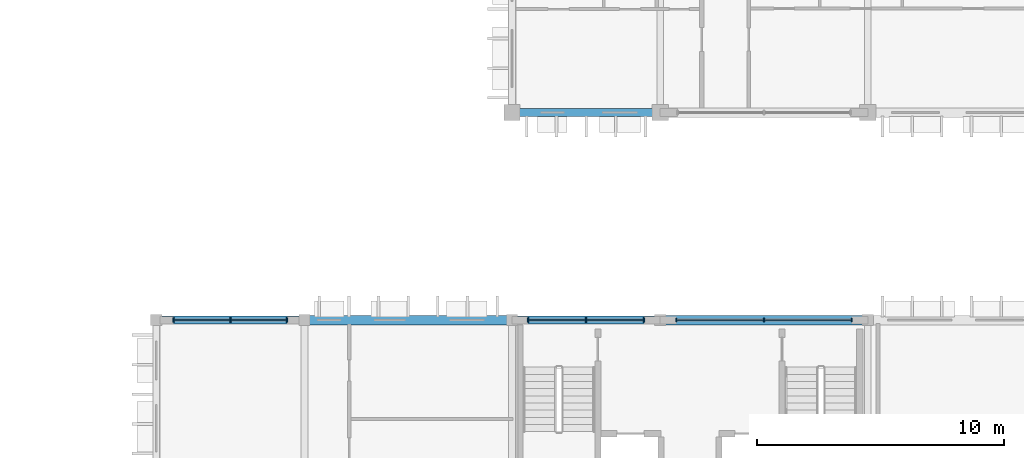
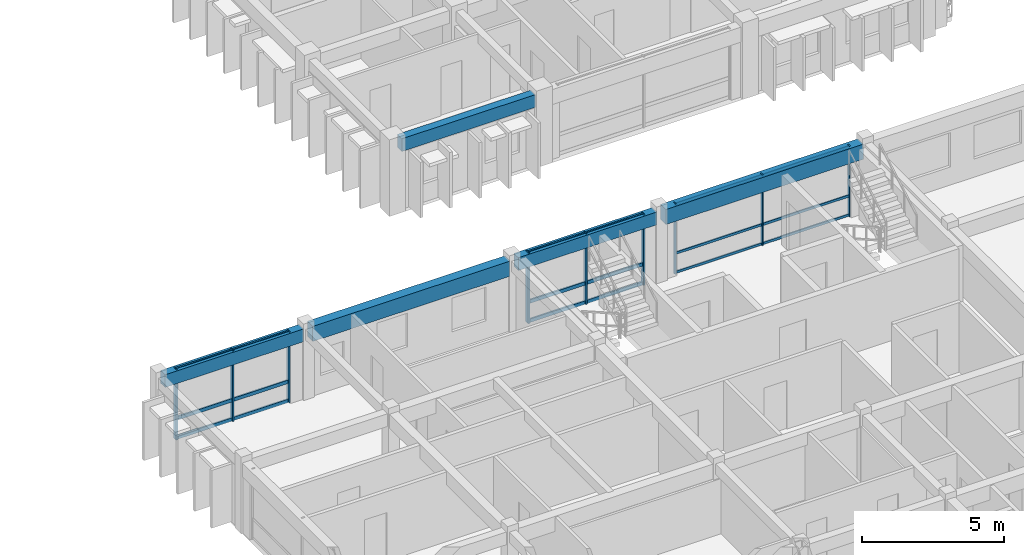
# One storey, part 15 of 76: 18 members, 5 beams, 3 elements without a shape of their own.
"""IFC4 building model written with IfcOpenShell, lengths in metres."""

from ifc_helpers import new_model, si_unit, direction, frame, origin, origin_2d, place, context, subcontext, project, spatial, rectangle, extrude, material, material_profile, profile_set, type_object, element, aggregate, save


model = new_model("IFC4")

# Units and contexts
model_context = context("Model", 3, precision=1e-05, world=origin(), true_north=direction((0.0, 1.0)))
body_context = subcontext(model_context, "Body", "Model", "MODEL_VIEW")
ifc_project = project(units=[si_unit("LENGTHUNIT", "METRE"), si_unit("AREAUNIT", "SQUARE_METRE"), si_unit("VOLUMEUNIT", "CUBIC_METRE"), si_unit("PLANEANGLEUNIT", "RADIAN"), si_unit("MASSUNIT", "GRAM", prefix="KILO"), si_unit("THERMODYNAMICTEMPERATUREUNIT", "KELVIN")], contexts=[model_context])

# Site, building, storey
site_placement = place(None, origin())
site = spatial("IfcSite", under=ifc_project, at=site_placement, CompositionType="ELEMENT")
building_placement = place(site_placement, origin())
building = spatial("IfcBuilding", under=site, at=building_placement, Name="Thalorik Housing Commons", CompositionType="ELEMENT")
storey_placement = place(building_placement, frame((0.0, 0.0, 18.0)))
storey = spatial("IfcBuildingStorey", under=building, at=storey_placement, Name="L05", CompositionType="ELEMENT", Elevation=18.0)

# Curtain wall, members
ifc_material_1 = material(Name="Anodised aluminium and solar-control low-E glass", Category="aluminium")
curtain_wall_type_1 = type_object("IfcCurtainWallType", Name="ARC-CW-CORE", PredefinedType="USERDEFINED", material=ifc_material_1)
curtain_wall_1_placement = place(storey_placement, origin())
curtain_wall_1 = element("IfcCurtainWall", 1, at=curtain_wall_1_placement, inside=storey, type_object=curtain_wall_type_1, Name="L05 Curtain Wall CW-CORE-L05-D-196", ObjectType="CURTAIN WALL", PredefinedType="USERDEFINED")
ifc_material_2 = material(Name="Anodised aluminium 6063-T6", Category="aluminium")
ifc_material_profile_1 = material_profile(ifc_material_2, rectangle(XDim=0.054931640625, YDim=0.139892578125, at=origin_2d()), Name="ALU MUL 55x140", Category="aluminium")
ifc_profile_set_1 = profile_set([ifc_material_profile_1], Name="Anodised aluminium 6063-T6")
member_type_1 = type_object("IfcMemberType", Name="ARC-CW-MUL-55x140", PredefinedType="MULLION", material=ifc_profile_set_1)
member_1_placement = place(storey_placement, frame((166.14990234375, 72.0, 0.0), z_axis=(0.0, 0.0, 1.0), x_axis=(-1.0, 0.0, 0.0)))
member_1 = element("IfcMember", 2, at=member_1_placement, type_object=member_type_1, Name="CW-CORE-L05-D-196 Mullion 1", PredefinedType="MULLION", context=body_context, shape_type="SweptSolid", body=[
    extrude(rectangle(XDim=0.054931640625, YDim=0.139892578125, at=origin_2d()), origin(), (0.0, 0.0, 1.0), 3.0400390625),
])
member_2_placement = place(storey_placement, frame((162.60009765625, 72.0, 0.0), z_axis=(0.0, 0.0, 1.0), x_axis=(-1.0, 0.0, 0.0)))
member_2 = element("IfcMember", 3, at=member_2_placement, type_object=member_type_1, Name="CW-CORE-L05-D-196 Mullion 2", PredefinedType="MULLION", context=body_context, shape_type="SweptSolid", body=[
    extrude(rectangle(XDim=0.054931640625, YDim=0.139892578125, at=origin_2d()), origin(), (0.0, 0.0, 1.0), 3.0400390625),
])
member_3_placement = place(storey_placement, frame((159.050048828125, 72.0, 0.0), z_axis=(0.0, 0.0, 1.0), x_axis=(-1.0, 0.0, 0.0)))
member_3 = element("IfcMember", 4, at=member_3_placement, type_object=member_type_1, Name="CW-CORE-L05-D-196 Mullion 3", PredefinedType="MULLION", context=body_context, shape_type="SweptSolid", body=[
    extrude(rectangle(XDim=0.054931640625, YDim=0.139892578125, at=origin_2d()), origin(), (0.0, 0.0, 1.0), 3.0400390625),
])

curtain_wall_type_2 = type_object("IfcCurtainWallType", Name="ARC-CW-LOUNGE", PredefinedType="USERDEFINED", material=ifc_material_1)
curtain_wall_2_placement = place(storey_placement, origin())
curtain_wall_2 = element("IfcCurtainWall", 5, at=curtain_wall_2_placement, inside=storey, type_object=curtain_wall_type_2, Name="L05 Curtain Wall CW-RES-L05-D-191", ObjectType="CURTAIN WALL", PredefinedType="USERDEFINED")
ifc_material_profile_2 = material_profile(ifc_material_2, rectangle(XDim=0.06494140625, YDim=0.179931640625, at=origin_2d()), Name="ALU MUL 65x180", Category="aluminium")
ifc_profile_set_2 = profile_set([ifc_material_profile_2], Name="Anodised aluminium 6063-T6")
member_type_2 = type_object("IfcMemberType", Name="ARC-CW-MUL-65x180", PredefinedType="MULLION", material=ifc_profile_set_2)
member_4_placement = place(storey_placement, frame((143.300048828125, 72.0, 0.0), z_axis=(0.0, 0.0, 1.0), x_axis=(-1.0, 0.0, 0.0)))
member_4 = element("IfcMember", 6, at=member_4_placement, type_object=member_type_2, Name="CW-RES-L05-D-191 Mullion 1", PredefinedType="MULLION", context=body_context, shape_type="SweptSolid", body=[
    extrude(rectangle(XDim=0.06494140625, YDim=0.179931640625, at=origin_2d()), origin(), (0.0, 0.0, 1.0), 3.0400390625),
])
member_5_placement = place(storey_placement, frame((141.0, 72.0, 0.0), z_axis=(0.0, 0.0, 1.0), x_axis=(-1.0, 0.0, 0.0)))
member_5 = element("IfcMember", 7, at=member_5_placement, type_object=member_type_2, Name="CW-RES-L05-D-191 Mullion 2", PredefinedType="MULLION", context=body_context, shape_type="SweptSolid", body=[
    extrude(rectangle(XDim=0.06494140625, YDim=0.179931640625, at=origin_2d()), origin(), (0.0, 0.0, 1.0), 3.0400390625),
])
member_6_placement = place(storey_placement, frame((138.699951171875, 72.0, 0.0), z_axis=(0.0, 0.0, 1.0), x_axis=(-1.0, 0.0, 0.0)))
member_6 = element("IfcMember", 8, at=member_6_placement, type_object=member_type_2, Name="CW-RES-L05-D-191 Mullion 3", PredefinedType="MULLION", context=body_context, shape_type="SweptSolid", body=[
    extrude(rectangle(XDim=0.06494140625, YDim=0.179931640625, at=origin_2d()), origin(), (0.0, 0.0, 1.0), 3.0400390625),
])

curtain_wall_3_placement = place(storey_placement, origin())
curtain_wall_3 = element("IfcCurtainWall", 9, at=curtain_wall_3_placement, inside=storey, type_object=curtain_wall_type_1, Name="L05 Curtain Wall CW-CORE-L05-D-197", ObjectType="CURTAIN WALL", PredefinedType="USERDEFINED")
member_7_placement = place(storey_placement, frame((157.75, 72.0, 0.0), z_axis=(0.0, 0.0, 1.0), x_axis=(-1.0, 0.0, 0.0)))
member_7 = element("IfcMember", 10, at=member_7_placement, type_object=member_type_2, Name="CW-CORE-L05-D-197 Mullion 1", PredefinedType="MULLION", context=body_context, shape_type="SweptSolid", body=[
    extrude(rectangle(XDim=0.06494140625, YDim=0.179931640625, at=origin_2d()), origin(), (0.0, 0.0, 1.0), 3.0400390625),
])
member_8_placement = place(storey_placement, frame((155.39990234375, 72.0, 0.0), z_axis=(0.0, 0.0, 1.0), x_axis=(-1.0, 0.0, 0.0)))
member_8 = element("IfcMember", 11, at=member_8_placement, type_object=member_type_2, Name="CW-CORE-L05-D-197 Mullion 2", PredefinedType="MULLION", context=body_context, shape_type="SweptSolid", body=[
    extrude(rectangle(XDim=0.06494140625, YDim=0.179931640625, at=origin_2d()), origin(), (0.0, 0.0, 1.0), 3.0400390625),
])
member_9_placement = place(storey_placement, frame((153.050048828125, 72.0, 0.0), z_axis=(0.0, 0.0, 1.0), x_axis=(-1.0, 0.0, 0.0)))
member_9 = element("IfcMember", 12, at=member_9_placement, type_object=member_type_2, Name="CW-CORE-L05-D-197 Mullion 3", PredefinedType="MULLION", context=body_context, shape_type="SweptSolid", body=[
    extrude(rectangle(XDim=0.06494140625, YDim=0.179931640625, at=origin_2d()), origin(), (0.0, 0.0, 1.0), 3.0400390625),
])

# Member
ifc_material_profile_3 = material_profile(ifc_material_2, rectangle(XDim=0.054931640625, YDim=0.10498046875, at=origin_2d()), Name="ALU TRN 55x105", Category="aluminium")
ifc_profile_set_3 = profile_set([ifc_material_profile_3], Name="Anodised aluminium 6063-T6")
member_type_3 = type_object("IfcMemberType", Name="ARC-CW-TRN-55x105", PredefinedType="USERDEFINED", material=ifc_profile_set_3)
member_10_placement = place(storey_placement, frame((166.14990234375, 72.0, 0.054931640625), z_axis=(-1.0, 0.0, 0.0), x_axis=(0.0, -1.0, 0.0)))
member_10 = element("IfcMember", 13, at=member_10_placement, type_object=member_type_3, Name="CW-CORE-L05-D-196 Transom 1", ObjectType="TRANSOM", PredefinedType="USERDEFINED", context=body_context, shape_type="SweptSolid", body=[
    extrude(rectangle(XDim=0.054931640625, YDim=0.10498046875, at=origin_2d()), origin(), (0.0, 0.0, 1.0), 7.099853515625),
])

member_11_placement = place(storey_placement, frame((166.14990234375, 72.0, 0.8798828125), z_axis=(-1.0, 0.0, 0.0), x_axis=(0.0, -1.0, 0.0)))
member_11 = element("IfcMember", 14, at=member_11_placement, type_object=member_type_3, Name="CW-CORE-L05-D-196 Transom 2", ObjectType="TRANSOM", PredefinedType="USERDEFINED", context=body_context, shape_type="SweptSolid", body=[
    extrude(rectangle(XDim=0.054931640625, YDim=0.10498046875, at=origin_2d()), origin(), (0.0, 0.0, 1.0), 7.099853515625),
])

member_12_placement = place(storey_placement, frame((166.14990234375, 72.0, 2.985107421875), z_axis=(-1.0, 0.0, 0.0), x_axis=(0.0, -1.0, 0.0)))
member_12 = element("IfcMember", 15, at=member_12_placement, type_object=member_type_3, Name="CW-CORE-L05-D-196 Transom 3", ObjectType="TRANSOM", PredefinedType="USERDEFINED", context=body_context, shape_type="SweptSolid", body=[
    extrude(rectangle(XDim=0.054931640625, YDim=0.10498046875, at=origin_2d()), origin(), (0.0, 0.0, 1.0), 7.099853515625),
])

aggregate(curtain_wall_1, [member_1, member_2, member_3, member_10, member_11, member_12])

ifc_material_profile_4 = material_profile(ifc_material_2, rectangle(XDim=0.06494140625, YDim=0.14990234375, at=origin_2d()), Name="ALU TRN 65x150", Category="aluminium")
ifc_profile_set_4 = profile_set([ifc_material_profile_4], Name="Anodised aluminium 6063-T6")
member_type_4 = type_object("IfcMemberType", Name="ARC-CW-TRN-65x150", PredefinedType="USERDEFINED", material=ifc_profile_set_4)
member_13_placement = place(storey_placement, frame((143.300048828125, 72.0, 0.054931640625), z_axis=(-1.0, 0.0, 0.0), x_axis=(0.0, -1.0, 0.0)))
member_13 = element("IfcMember", 16, at=member_13_placement, type_object=member_type_4, Name="CW-RES-L05-D-191 Transom 1", ObjectType="TRANSOM", PredefinedType="USERDEFINED", context=body_context, shape_type="SweptSolid", body=[
    extrude(rectangle(XDim=0.06494140625, YDim=0.14990234375, at=origin_2d()), origin(), (0.0, 0.0, 1.0), 4.60009765625),
])

member_14_placement = place(storey_placement, frame((143.300048828125, 72.0, 0.8798828125), z_axis=(-1.0, 0.0, 0.0), x_axis=(0.0, -1.0, 0.0)))
member_14 = element("IfcMember", 17, at=member_14_placement, type_object=member_type_4, Name="CW-RES-L05-D-191 Transom 2", ObjectType="TRANSOM", PredefinedType="USERDEFINED", context=body_context, shape_type="SweptSolid", body=[
    extrude(rectangle(XDim=0.06494140625, YDim=0.14990234375, at=origin_2d()), origin(), (0.0, 0.0, 1.0), 4.60009765625),
])

member_15_placement = place(storey_placement, frame((143.300048828125, 72.0, 2.985107421875), z_axis=(-1.0, 0.0, 0.0), x_axis=(0.0, -1.0, 0.0)))
member_15 = element("IfcMember", 18, at=member_15_placement, type_object=member_type_4, Name="CW-RES-L05-D-191 Transom 3", ObjectType="TRANSOM", PredefinedType="USERDEFINED", context=body_context, shape_type="SweptSolid", body=[
    extrude(rectangle(XDim=0.06494140625, YDim=0.14990234375, at=origin_2d()), origin(), (0.0, 0.0, 1.0), 4.60009765625),
])

aggregate(curtain_wall_2, [member_4, member_5, member_6, member_13, member_14, member_15])

member_16_placement = place(storey_placement, frame((157.75, 72.0, 0.054931640625), z_axis=(-1.0, 0.0, 0.0), x_axis=(0.0, -1.0, 0.0)))
member_16 = element("IfcMember", 19, at=member_16_placement, type_object=member_type_4, Name="CW-CORE-L05-D-197 Transom 1", ObjectType="TRANSOM", PredefinedType="USERDEFINED", context=body_context, shape_type="SweptSolid", body=[
    extrude(rectangle(XDim=0.06494140625, YDim=0.14990234375, at=origin_2d()), origin(), (0.0, 0.0, 1.0), 4.699951171875),
])

member_17_placement = place(storey_placement, frame((157.75, 72.0, 0.8798828125), z_axis=(-1.0, 0.0, 0.0), x_axis=(0.0, -1.0, 0.0)))
member_17 = element("IfcMember", 20, at=member_17_placement, type_object=member_type_4, Name="CW-CORE-L05-D-197 Transom 2", ObjectType="TRANSOM", PredefinedType="USERDEFINED", context=body_context, shape_type="SweptSolid", body=[
    extrude(rectangle(XDim=0.06494140625, YDim=0.14990234375, at=origin_2d()), origin(), (0.0, 0.0, 1.0), 4.699951171875),
])

member_18_placement = place(storey_placement, frame((157.75, 72.0, 2.985107421875), z_axis=(-1.0, 0.0, 0.0), x_axis=(0.0, -1.0, 0.0)))
member_18 = element("IfcMember", 21, at=member_18_placement, type_object=member_type_4, Name="CW-CORE-L05-D-197 Transom 3", ObjectType="TRANSOM", PredefinedType="USERDEFINED", context=body_context, shape_type="SweptSolid", body=[
    extrude(rectangle(XDim=0.06494140625, YDim=0.14990234375, at=origin_2d()), origin(), (0.0, 0.0, 1.0), 4.699951171875),
])

aggregate(curtain_wall_3, [member_7, member_8, member_9, member_16, member_17, member_18])

# Beams
ifc_material_3 = material(Name="Precast concrete C40/50", Category="concrete")
ifc_material_profile_5 = material_profile(ifc_material_3, rectangle(XDim=0.320068359375, YDim=0.550048828125, at=origin_2d()), Name="PC 320x550", Category="concrete")
ifc_profile_set_5 = profile_set([ifc_material_profile_5], Name="Precast concrete C40/50")
beam_type_1 = type_object("IfcBeamType", Name="STR-BM-PC320x550", PredefinedType="BEAM", material=ifc_profile_set_5)
beam_1_placement = place(storey_placement, frame((138.175048828125, 72.0, 2.764892578125), z_axis=(1.0, 0.0, 0.0), x_axis=(0.0, 1.0, 0.0)))
element("IfcBeam", 22, at=beam_1_placement, inside=storey, type_object=beam_type_1, Name="L05 Beam B-550", PredefinedType="BEAM", context=body_context, shape_type="SweptSolid", body=[
    extrude(rectangle(XDim=0.320068359375, YDim=0.550048828125, at=origin_2d()), origin(), (0.0, 0.0, 1.0), 5.64990234375),
])
beam_2_placement = place(storey_placement, frame((152.574951171875, 72.0, 2.764892578125), z_axis=(1.0, 0.0, 0.0), x_axis=(0.0, 1.0, 0.0)))
element("IfcBeam", 23, at=beam_2_placement, inside=storey, type_object=beam_type_1, Name="L05 Beam B-550", PredefinedType="BEAM", context=body_context, shape_type="SweptSolid", body=[
    extrude(rectangle(XDim=0.320068359375, YDim=0.550048828125, at=origin_2d()), origin(), (0.0, 0.0, 1.0), 5.650146484375),
])
beam_3_placement = place(storey_placement, frame((152.675048828125, 80.39990234375, 2.764892578125), z_axis=(1.0, 0.0, 0.0), x_axis=(0.0, 1.0, 0.0)))
element("IfcBeam", 24, at=beam_3_placement, inside=storey, type_object=beam_type_1, Name="L05 Beam B-550", PredefinedType="BEAM", context=body_context, shape_type="SweptSolid", body=[
    extrude(rectangle(XDim=0.320068359375, YDim=0.550048828125, at=origin_2d()), origin(), (0.0, 0.0, 1.0), 5.449951171875),
])
ifc_material_profile_6 = material_profile(ifc_material_3, rectangle(XDim=0.3798828125, YDim=0.64990234375, at=origin_2d()), Name="PC 380x650", Category="concrete")
ifc_profile_set_6 = profile_set([ifc_material_profile_6], Name="Precast concrete C40/50")
beam_type_2 = type_object("IfcBeamType", Name="STR-BM-PC380x650", PredefinedType="BEAM", material=ifc_profile_set_6)
for number, where, z_axis, x_axis, name in (
    (25, (144.175048828125, 72.0, 2.715087890625), (1.0, 0.0, 0.0), (0.0, 1.0, 0.0), "L05 Beam B-650"),
    (26, (158.574951171875, 72.0, 2.715087890625), (1.0, 0.0, 0.0), (0.0, 1.0, 0.0), "L05 Beam B-650"),
):
    element("IfcBeam", number, at=place(storey_placement, frame(where, z_axis=z_axis, x_axis=x_axis)), inside=storey, type_object=beam_type_2, Name=name, PredefinedType="BEAM", context=body_context, shape_type="SweptSolid", body=[
        extrude(rectangle(XDim=0.3798828125, YDim=0.64990234375, at=origin_2d()), origin(), (0.0, 0.0, 1.0), 8.050048828125),
    ])

save(model, "model.ifc")
